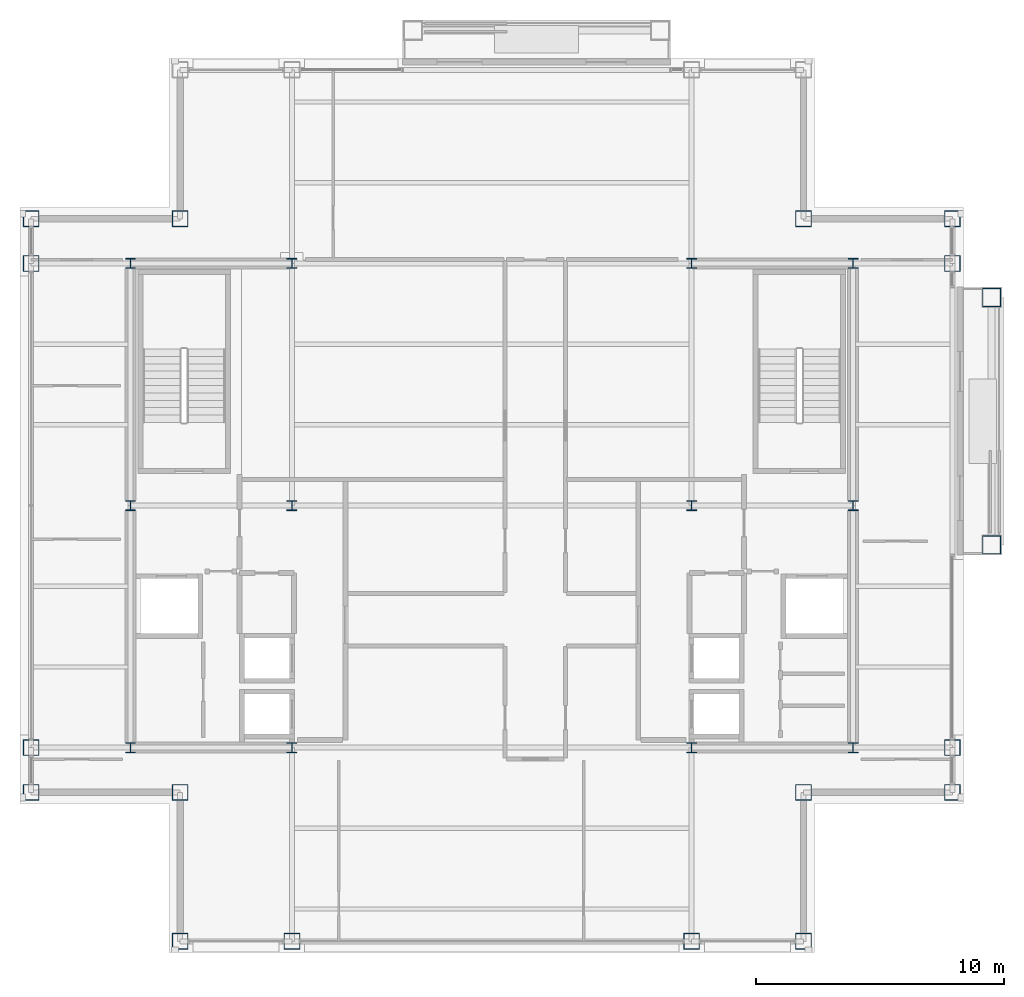
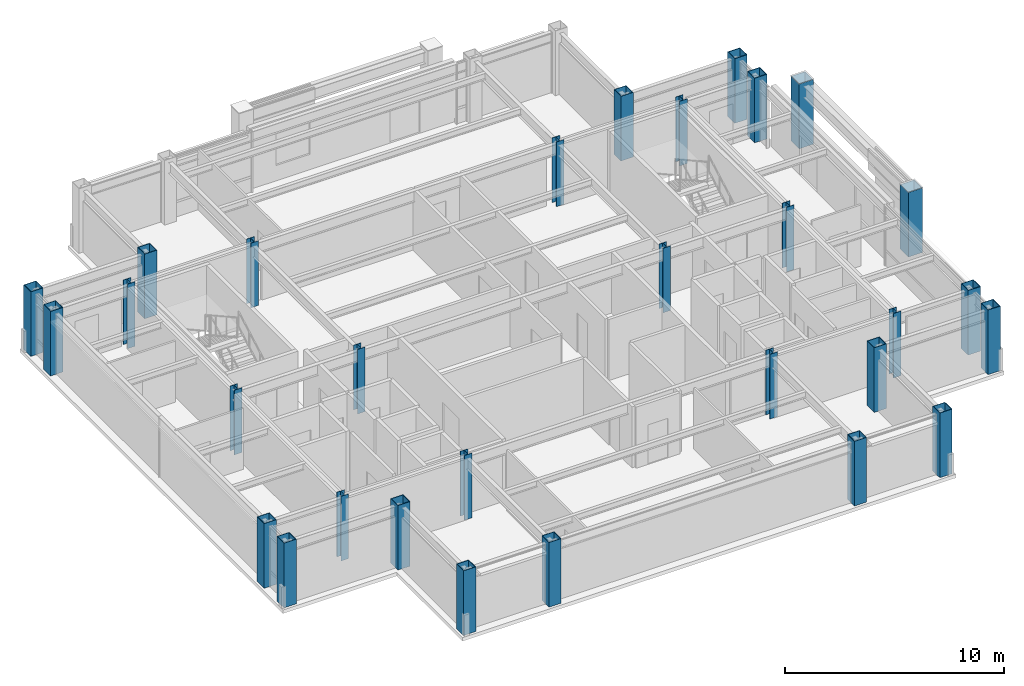
# One storey, part 1 of 24: 30 columns.
"""IFC4 building model written with IfcOpenShell, lengths in metres."""

from ifc_helpers import new_model, si_unit, direction, frame, origin, origin_2d, place, context, subcontext, project, spatial, hollow_rectangle, i_section, extrude, material, material_profile, profile_set, type_object, element, save


model = new_model("IFC4")

# Units and contexts
model_context = context("Model", 3, precision=1e-05, world=origin(), true_north=direction((0.0, 1.0)))
body_context = subcontext(model_context, "Body", "Model", "MODEL_VIEW")
ifc_project = project(units=[si_unit("LENGTHUNIT", "METRE"), si_unit("AREAUNIT", "SQUARE_METRE"), si_unit("VOLUMEUNIT", "CUBIC_METRE"), si_unit("PLANEANGLEUNIT", "RADIAN"), si_unit("MASSUNIT", "GRAM", prefix="KILO")], contexts=[model_context])

# Site, building, storey
site_placement = place(None, origin())
site = spatial("IfcSite", under=ifc_project, at=site_placement, CompositionType="ELEMENT")
building_placement = place(site_placement, origin())
building = spatial("IfcBuilding", under=site, at=building_placement, Name="Brelmoor Portico Tower", CompositionType="ELEMENT")
storey_placement = place(building_placement, frame((0.0, 0.0, 240.0)))
storey = spatial("IfcBuildingStorey", under=building, at=storey_placement, Name="L63", CompositionType="ELEMENT", Elevation=240.0)

# Columns
ifc_material = material(Name="Steel Q355B", Category="steel")
ifc_material_profile_1 = material_profile(ifc_material, hollow_rectangle(XDim=0.64990234375, YDim=0.64990234375, WallThickness=0.028076171875, at=origin_2d()), Name="BOX 650x650x28")
ifc_profile_set_1 = profile_set([ifc_material_profile_1], Name="Steel Q355B")
column_type_1 = type_object("IfcColumnType", Name="COL-MEGA-650", PredefinedType="COLUMN", material=ifc_profile_set_1)
for number, where, z_axis, x_axis, name in (
    (1, (-12.550048828125, -17.550048828125, 0.0), (0.0, 0.0, 1.0), (1.0, 0.0, 0.0), "L63 Perimeter Mega-Column PS01"),
    (2, (-8.050048828125, -17.550048828125, 0.0), (0.0, 0.0, 1.0), (1.0, 0.0, 0.0), "L63 Perimeter Mega-Column PS02"),
    (3, (8.050048828125, -17.550048828125, 0.0), (0.0, 0.0, 1.0), (1.0, 0.0, 0.0), "L63 Perimeter Mega-Column PS03"),
    (4, (12.550048828125, -17.550048828125, 0.0), (0.0, 0.0, 1.0), (1.0, 0.0, 0.0), "L63 Perimeter Mega-Column PS04"),
    (5, (-18.550048828125, -11.550048828125, 0.0), (0.0, 0.0, 1.0), (0.0, 1.0, 0.0), "L63 Perimeter Mega-Column PW01"),
    (6, (-18.550048828125, -9.75, 0.0), (0.0, 0.0, 1.0), (0.0, 1.0, 0.0), "L63 Perimeter Mega-Column PW02"),
    (7, (-18.550048828125, 9.75, 0.0), (0.0, 0.0, 1.0), (0.0, 1.0, 0.0), "L63 Perimeter Mega-Column PW03"),
    (8, (-18.550048828125, 11.550048828125, 0.0), (0.0, 0.0, 1.0), (0.0, 1.0, 0.0), "L63 Perimeter Mega-Column PW04"),
    (9, (18.550048828125, -11.550048828125, 0.0), (0.0, 0.0, 1.0), (0.0, 1.0, 0.0), "L63 Perimeter Mega-Column PE01"),
    (10, (18.550048828125, -9.75, 0.0), (0.0, 0.0, 1.0), (0.0, 1.0, 0.0), "L63 Perimeter Mega-Column PE02"),
    (11, (18.550048828125, 9.75, 0.0), (0.0, 0.0, 1.0), (0.0, 1.0, 0.0), "L63 Perimeter Mega-Column PE03"),
    (12, (18.550048828125, 11.550048828125, 0.0), (0.0, 0.0, 1.0), (0.0, 1.0, 0.0), "L63 Perimeter Mega-Column PE04"),
    (13, (-12.550048828125, 11.550048828125, 0.0), (0.0, 0.0, 1.0), (1.0, 0.0, 0.0), "L63 Perimeter Mega-Column PC-NW"),
    (14, (12.550048828125, 11.550048828125, 0.0), (0.0, 0.0, 1.0), (1.0, 0.0, 0.0), "L63 Perimeter Mega-Column PC-NE"),
    (15, (12.550048828125, -11.550048828125, 0.0), (0.0, 0.0, 1.0), (1.0, 0.0, 0.0), "L63 Perimeter Mega-Column PC-SE"),
    (16, (-12.550048828125, -11.550048828125, 0.0), (0.0, 0.0, 1.0), (1.0, 0.0, 0.0), "L63 Perimeter Mega-Column PC-SW"),
):
    element("IfcColumn", number, at=place(storey_placement, frame(where, z_axis=z_axis, x_axis=x_axis)), inside=storey, type_object=column_type_1, Name=name, PredefinedType="COLUMN", context=body_context, shape_type="SweptSolid", body=[
        extrude(hollow_rectangle(XDim=0.64990234375, YDim=0.64990234375, WallThickness=0.028076171875, at=origin_2d()), origin(), (0.0, 0.0, 1.0), 3.60009765625),
    ])
ifc_material_profile_2 = material_profile(ifc_material, hollow_rectangle(XDim=0.75, YDim=0.75, WallThickness=0.031982421875, at=origin_2d()), Name="BOX 750x750x32")
ifc_profile_set_2 = profile_set([ifc_material_profile_2], Name="Steel Q355B")
column_type_2 = type_object("IfcColumnType", Name="COL-MEGA-750", PredefinedType="COLUMN", material=ifc_profile_set_2)
for number, where, z_axis, x_axis, name in (
    (17, (20.1298828125, -1.580078125, 0.0), (0.0, 0.0, 1.0), (0.0, 1.0, 0.0), "L63 Proud Picture-Frame Pier PFJ-E1"),
    (18, (20.1298828125, 8.3798828125, 0.0), (0.0, 0.0, 1.0), (0.0, 1.0, 0.0), "L63 Proud Picture-Frame Pier PFJ-E2"),
):
    element("IfcColumn", number, at=place(storey_placement, frame(where, z_axis=z_axis, x_axis=x_axis)), inside=storey, type_object=column_type_2, Name=name, PredefinedType="COLUMN", context=body_context, shape_type="SweptSolid", body=[
        extrude(hollow_rectangle(XDim=0.75, YDim=0.75, WallThickness=0.031982421875, at=origin_2d()), origin(), (0.0, 0.0, 1.0), 3.60009765625),
    ])
ifc_material_profile_3 = material_profile(ifc_material, i_section(OverallWidth=0.39990234375, OverallDepth=0.39990234375, WebThickness=0.012939453125, FlangeThickness=0.02099609375, at=origin_2d()), Name="HW 400x400x13x21")
ifc_profile_set_3 = profile_set([ifc_material_profile_3], Name="Steel Q355B")
column_type_3 = type_object("IfcColumnType", Name="COL-SPINE-400", PredefinedType="COLUMN", material=ifc_profile_set_3)
for number, where, z_axis, x_axis, name in (
    (19, (-14.550048828125, -9.75, 0.0), (0.0, 0.0, 1.0), (1.0, 0.0, 0.0), "L63 Core Spine Column CW-SW"),
    (20, (-14.550048828125, 0.0, 0.0), (0.0, 0.0, 1.0), (1.0, 0.0, 0.0), "L63 Core Spine Column CW-MW"),
    (21, (-14.550048828125, 9.75, 0.0), (0.0, 0.0, 1.0), (1.0, 0.0, 0.0), "L63 Core Spine Column CW-NW"),
    (22, (-8.050048828125, -9.75, 0.0), (0.0, 0.0, 1.0), (1.0, 0.0, 0.0), "L63 Core Spine Column CW-SE"),
    (23, (-8.050048828125, 0.0, 0.0), (0.0, 0.0, 1.0), (1.0, 0.0, 0.0), "L63 Core Spine Column CW-ME"),
    (24, (-8.050048828125, 9.75, 0.0), (0.0, 0.0, 1.0), (1.0, 0.0, 0.0), "L63 Core Spine Column CW-NE"),
    (25, (8.050048828125, -9.75, 0.0), (0.0, 0.0, 1.0), (1.0, 0.0, 0.0), "L63 Core Spine Column CE-SW"),
    (26, (8.050048828125, 0.0, 0.0), (0.0, 0.0, 1.0), (1.0, 0.0, 0.0), "L63 Core Spine Column CE-MW"),
    (27, (8.050048828125, 9.75, 0.0), (0.0, 0.0, 1.0), (1.0, 0.0, 0.0), "L63 Core Spine Column CE-NW"),
    (28, (14.550048828125, -9.75, 0.0), (0.0, 0.0, 1.0), (1.0, 0.0, 0.0), "L63 Core Spine Column CE-SE"),
    (29, (14.550048828125, 0.0, 0.0), (0.0, 0.0, 1.0), (1.0, 0.0, 0.0), "L63 Core Spine Column CE-ME"),
    (30, (14.550048828125, 9.75, 0.0), (0.0, 0.0, 1.0), (1.0, 0.0, 0.0), "L63 Core Spine Column CE-NE"),
):
    element("IfcColumn", number, at=place(storey_placement, frame(where, z_axis=z_axis, x_axis=x_axis)), inside=storey, type_object=column_type_3, Name=name, PredefinedType="COLUMN", context=body_context, shape_type="SweptSolid", body=[
        extrude(i_section(OverallWidth=0.39990234375, OverallDepth=0.39990234375, WebThickness=0.012939453125, FlangeThickness=0.02099609375, at=origin_2d()), origin(), (0.0, 0.0, 1.0), 3.60009765625),
    ])

save(model, "model.ifc")
